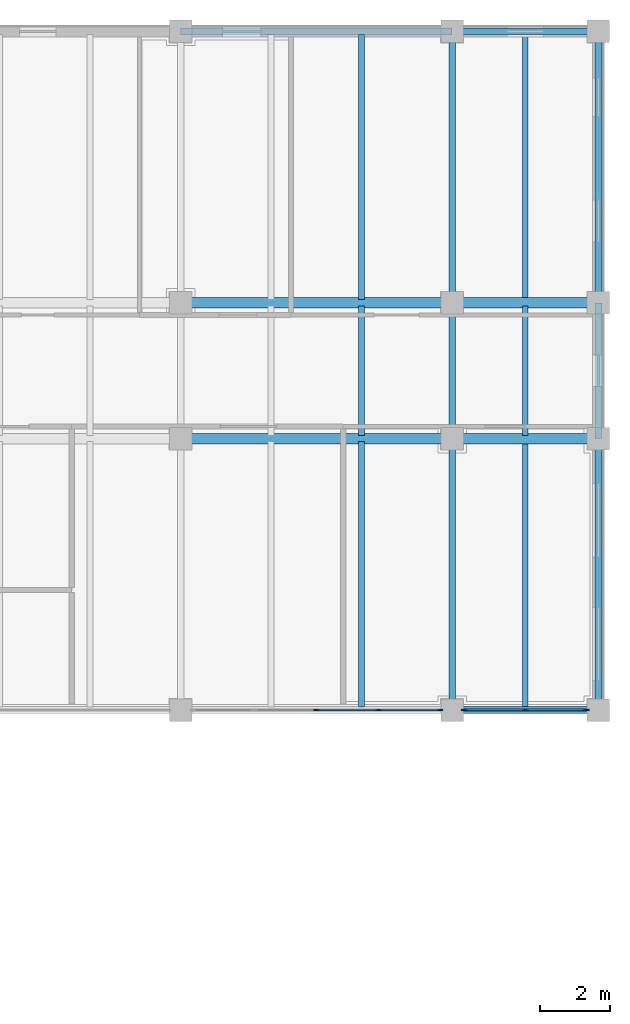
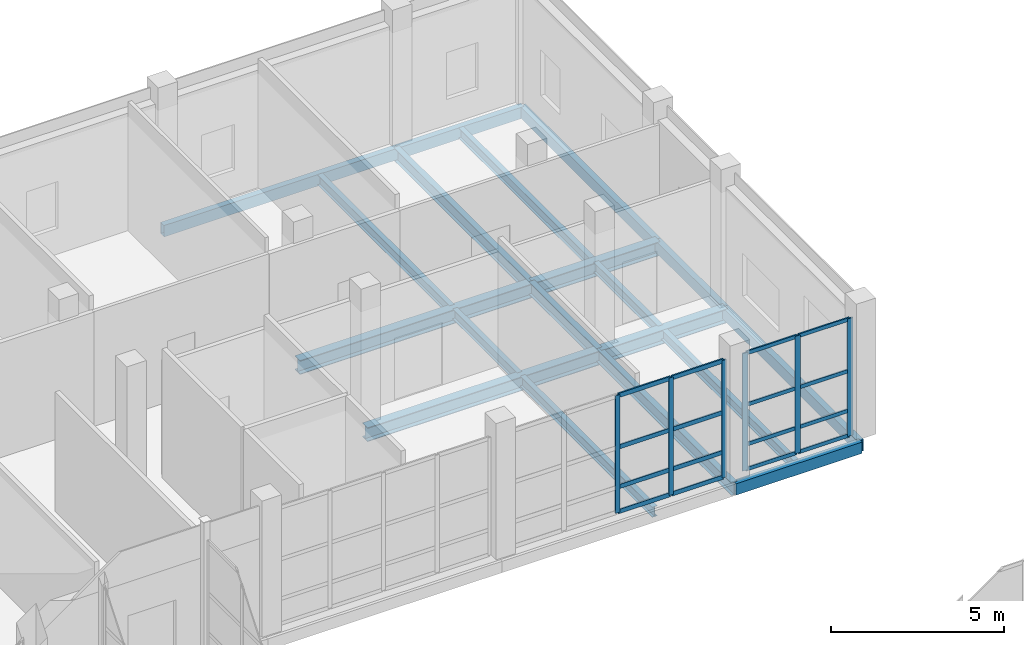
# One storey, part 70 of 131: 22 members, 19 beams, 2 elements without a shape of their own.
"""IFC4 building model written with IfcOpenShell, lengths in metres."""

import ifcopenshell
import ifcopenshell.guid

model = None  # the IFC model being written
_history = None  # IfcOwnerHistory: only IFC2X3 demands one
_inside = {}  # id of a spatial element -> (the spatial element, [elements in it])
_under = {}  # id of a project, library or spatial element -> (it, [spatial elements below it])
_declared = {}  # id of a project -> (the project, [libraries it declares])
_typed = {}  # id of a type object -> (the type object, [elements of that type])
_made_of = {}  # id of a material, layer set ... -> (it, [elements and type objects made of it])


def new_model(schema):
    """Start an empty IFC model of exactly this schema.

    Asked for "IFC4X3", IfcOpenShell would pick the latest addendum, in which some entities
    have other attributes; the version numbers below select the first issue.
    IFC2X3 requires an IfcOwnerHistory on every rooted entity: one is made here for all.
    """
    global model, _history
    if schema == "IFC4X3":
        model = ifcopenshell.file(schema_version=(4, 3, 0, 0))
    else:
        model = ifcopenshell.file(schema=schema)
    _inside.clear()
    _under.clear()
    _declared.clear()
    _typed.clear()
    _made_of.clear()
    _history = None
    if model.schema == "IFC2X3":
        org = make("IfcOrganization", Name="unknown")
        user = make(
            "IfcPersonAndOrganization",
            ThePerson=make("IfcPerson", FamilyName="unknown"),
            TheOrganization=org,
        )
        app = make(
            "IfcApplication",
            ApplicationDeveloper=org,
            Version="unknown",
            ApplicationFullName="unknown",
            ApplicationIdentifier="unknown",
        )
        _history = make(
            "IfcOwnerHistory",
            OwningUser=user,
            OwningApplication=app,
            ChangeAction="ADDED",
            CreationDate=0,
        )
    return model


def make(cls, **values):
    """One entity of the class cls with the attributes given. An attribute that is None is left unset."""
    return model.create_entity(
        cls, **{name: value for name, value in values.items() if value is not None}
    )


def rooted(cls, **values):
    """An entity with a GlobalId (a new one), such as an element, a storey or a relation."""
    return make(cls, GlobalId=ifcopenshell.guid.new(), OwnerHistory=_history, **values)


def si_unit(unit_type, name, prefix=None):
    """IfcSIUnit, for example si_unit("LENGTHUNIT", "METRE", prefix="MILLI")."""
    return make("IfcSIUnit", UnitType=unit_type, Prefix=prefix, Name=name)


def assignment(units):
    """IfcUnitAssignment: the units of a project."""
    return None if units is None else make("IfcUnitAssignment", Units=units)


def point(xyz):
    """IfcCartesianPoint."""
    return None if xyz is None else make("IfcCartesianPoint", Coordinates=xyz)


def direction(xyz):
    """IfcDirection."""
    return None if xyz is None else make("IfcDirection", DirectionRatios=xyz)


def frame(location, z_axis=None, x_axis=None):
    """IfcAxis2Placement3D, a coordinate frame: its origin and axes. An axis left out is left unset."""
    return make(
        "IfcAxis2Placement3D",
        Location=point(location),
        Axis=direction(z_axis),
        RefDirection=direction(x_axis),
    )


def frame_2d(location, x_axis=None):
    """IfcAxis2Placement2D, a coordinate frame in the plane: its origin and x axis."""
    return make(
        "IfcAxis2Placement2D", Location=point(location), RefDirection=direction(x_axis)
    )


def origin():
    """The frame at (0, 0, 0) with its axes left unset."""
    return frame((0.0, 0.0, 0.0))


def origin_2d():
    """The frame at (0, 0) in the plane with its x axis left unset."""
    return frame_2d((0.0, 0.0))


def place(relative_to, where):
    """IfcLocalPlacement: puts the frame where relative to a parent placement (None: the world)."""
    return make(
        "IfcLocalPlacement", PlacementRelTo=relative_to, RelativePlacement=where
    )


def context(
    kind, dimensions, precision=None, world=None, true_north=None, identifier=None
):
    """IfcGeometricRepresentationContext, for example the 3D "Model" context."""
    return make(
        "IfcGeometricRepresentationContext",
        ContextIdentifier=identifier,
        ContextType=kind,
        CoordinateSpaceDimension=dimensions,
        Precision=precision,
        WorldCoordinateSystem=world,
        TrueNorth=true_north,
    )


def subcontext(parent, identifier, kind, view, scale=None):
    """IfcGeometricRepresentationSubContext, for example "Body" below "Model"."""
    return make(
        "IfcGeometricRepresentationSubContext",
        ContextIdentifier=identifier,
        ContextType=kind,
        ParentContext=parent,
        TargetScale=scale,
        TargetView=view,
    )


def project(units=None, contexts=None):
    """IfcProject with its units and contexts."""
    return rooted(
        "IfcProject",
        Name="project",
        RepresentationContexts=contexts,
        UnitsInContext=assignment(units),
    )


def spatial(cls, under=None, at=None, **own):
    """A site, building, storey or space (cls), placed at a placement, below another one or the project."""
    s = rooted(cls, ObjectPlacement=at, **own)
    if under is not None:
        _under.setdefault(under.id(), (under, []))[1].append(s)
    return s


def profile(cls, at=None, kind="AREA", **sizes):
    """A parametric profile (cls). Its sizes go by their IFC names, for example OverallWidth=200.0."""
    return make(cls, ProfileType=kind, Position=at, **sizes)


def rectangle(**sizes):
    """IfcRectangleProfileDef."""
    return profile("IfcRectangleProfileDef", **sizes)


def hollow_rectangle(**sizes):
    """IfcRectangleHollowProfileDef."""
    return profile("IfcRectangleHollowProfileDef", **sizes)


def i_section(**sizes):
    """IfcIShapeProfileDef."""
    return profile("IfcIShapeProfileDef", **sizes)


def extrude(swept, where, along, depth):
    """IfcExtrudedAreaSolid: the profile swept, set in the frame where, extruded along a direction by depth."""
    return make(
        "IfcExtrudedAreaSolid",
        SweptArea=swept,
        Position=where,
        ExtrudedDirection=direction(along),
        Depth=depth,
    )


def shape(context_of_items, identifier, shape_type, items):
    """IfcShapeRepresentation: the items that make up one representation, for example the "Body"."""
    return make(
        "IfcShapeRepresentation",
        ContextOfItems=context_of_items,
        RepresentationIdentifier=identifier,
        RepresentationType=shape_type,
        Items=items,
    )


def material(Name=None, Category=None):
    """IfcMaterial."""
    return make("IfcMaterial", Name=Name, Category=Category)


def layer(
    of_material, thickness, ventilated=None, Name=None, Category=None, Priority=None
):
    """IfcMaterialLayer: one layer of a wall or slab, of a material (None: an air gap)."""
    return make(
        "IfcMaterialLayer",
        Material=of_material,
        LayerThickness=thickness,
        IsVentilated=ventilated,
        Name=Name,
        Category=Category,
        Priority=Priority,
    )


def layer_set(layers, Name=None):
    """IfcMaterialLayerSet."""
    return make("IfcMaterialLayerSet", MaterialLayers=layers, LayerSetName=Name)


def material_profile(
    of_material, cross_section, Name=None, Category=None, Priority=None
):
    """IfcMaterialProfile: a cross section and its material."""
    return make(
        "IfcMaterialProfile",
        Name=Name,
        Material=of_material,
        Profile=cross_section,
        Priority=Priority,
        Category=Category,
    )


def profile_set(profiles, Name=None, composite=None):
    """IfcMaterialProfileSet."""
    return make(
        "IfcMaterialProfileSet",
        Name=Name,
        MaterialProfiles=profiles,
        CompositeProfile=composite,
    )


def made_of(thing, what):
    """Note that an element or type object is made of a material, layer set ...; save() writes the relation."""
    if what is not None:
        _made_of.setdefault(what.id(), (what, []))[1].append(thing)
    return thing


def type_object(cls, material=None, **own):
    """A type object (cls), such as IfcWallType, which elements share."""
    return made_of(rooted(cls, **own), material)


def element(
    cls,
    number,
    at=None,
    inside=None,
    cuts=None,
    type_object=None,
    material=None,
    context=None,
    identifier="Body",
    shape_type=None,
    held_by="IfcProductDefinitionShape",
    body=None,
    shapes=None,
    **own,
):
    """One element of the class cls, such as IfcWall. Its Tag is "e" and its number.

    at: its placement. inside: the storey or other place that contains it. cuts: it is an
    opening in that element (IfcRelVoidsElement). A single representation is given by context,
    identifier, shape_type and body (its items); several are given by shapes. held_by: the class
    of the entity that holds the representations. save() writes the other relations.
    """
    e = rooted(cls, Tag="e%d" % number, ObjectPlacement=at, **own)
    if body is not None:
        shapes = [shape(context, identifier, shape_type, body)]
    if shapes is not None:
        e.Representation = make(held_by, Representations=shapes)
    if inside is not None:
        _inside.setdefault(inside.id(), (inside, []))[1].append(e)
    if cuts is not None:
        rooted(
            "IfcRelVoidsElement", RelatingBuildingElement=cuts, RelatedOpeningElement=e
        )
    if type_object is not None:
        _typed.setdefault(type_object.id(), (type_object, []))[1].append(e)
    return made_of(e, material)


def aggregate(whole, parts):
    """IfcRelAggregates: a whole, such as a stair, and the parts it consists of."""
    return rooted("IfcRelAggregates", RelatingObject=whole, RelatedObjects=parts)


def save(model, path):
    """Write the relations noted so far, then the file.

    IfcRelAggregates (storeys below a building ...), IfcRelContainedInSpatialStructure (elements
    in a storey), IfcRelDefinesByType, IfcRelAssociatesMaterial and IfcRelDeclares: one each for
    every whole, place, type object, material and project.
    """
    for whole, parts in _under.values():
        aggregate(whole, parts)
    for where, things in _inside.values():
        rooted(
            "IfcRelContainedInSpatialStructure",
            RelatedElements=things,
            RelatingStructure=where,
        )
    for kind, things in _typed.values():
        rooted("IfcRelDefinesByType", RelatedObjects=things, RelatingType=kind)
    for what, things in _made_of.values():
        rooted("IfcRelAssociatesMaterial", RelatedObjects=things, RelatingMaterial=what)
    for by, libraries in _declared.values():
        rooted("IfcRelDeclares", RelatingContext=by, RelatedDefinitions=libraries)
    model.write(path)


model = new_model("IFC4")

# Units and contexts
model_context = context("Model", 3, precision=1e-05, world=origin(), true_north=direction((0.0, 1.0)))
body_context = subcontext(model_context, "Body", "Model", "MODEL_VIEW")
ifc_project = project(units=[si_unit("LENGTHUNIT", "METRE"), si_unit("AREAUNIT", "SQUARE_METRE"), si_unit("VOLUMEUNIT", "CUBIC_METRE"), si_unit("PLANEANGLEUNIT", "RADIAN"), si_unit("MASSUNIT", "GRAM", prefix="KILO")], contexts=[model_context])

# Site, building, storey
site_placement = place(None, origin())
site = spatial("IfcSite", under=ifc_project, at=site_placement, CompositionType="ELEMENT")
building_placement = place(site_placement, origin())
building = spatial("IfcBuilding", under=site, at=building_placement, Name="Celorna Specialist Clinic", CompositionType="ELEMENT")
storey_placement = place(building_placement, origin())
storey = spatial("IfcBuildingStorey", under=building, at=storey_placement, Name="L00", CompositionType="ELEMENT", Elevation=0.0)

# Beams
ifc_material_1 = material(Name="Steel S355", Category="steel")
ifc_material_profile_1 = material_profile(ifc_material_1, i_section(OverallWidth=0.18994140625, OverallDepth=0.449951171875, WebThickness=0.009521484375, FlangeThickness=0.0146484375, at=origin_2d()), Name="IPE 450")
ifc_profile_set_1 = profile_set([ifc_material_profile_1], Name="Steel S355")
beam_type_1 = type_object("IfcBeamType", Name="BM-09", PredefinedType="BEAM", material=ifc_profile_set_1)
beam_1_placement = place(storey_placement, frame((163.800048828125, 96.5, -0.52490234375), z_axis=(0.0, 1.0, 0.0), x_axis=(-1.0, 0.0, 0.0)))
element("IfcBeam", 1, at=beam_1_placement, inside=storey, type_object=beam_type_1, Name="Transverse girder BM-09 #775", PredefinedType="BEAM", context=body_context, shape_type="SweptSolid", body=[
    extrude(i_section(OverallWidth=0.18994140625, OverallDepth=0.449951171875, WebThickness=0.009521484375, FlangeThickness=0.0146484375, at=origin_2d()), origin(), (0.0, 0.0, 1.0), 7.800048828125),
])
beam_2_placement = place(storey_placement, frame((163.800048828125, 104.300048828125, -0.52490234375), z_axis=(0.0, 1.0, 0.0), x_axis=(-1.0, 0.0, 0.0)))
element("IfcBeam", 2, at=beam_2_placement, inside=storey, type_object=beam_type_1, Name="Transverse girder BM-09 #776", PredefinedType="BEAM", context=body_context, shape_type="SweptSolid", body=[
    extrude(i_section(OverallWidth=0.18994140625, OverallDepth=0.449951171875, WebThickness=0.009521484375, FlangeThickness=0.0146484375, at=origin_2d()), origin(), (0.0, 0.0, 1.0), 3.89990234375),
])
beam_3_placement = place(storey_placement, frame((163.800048828125, 108.199951171875, -0.52490234375), z_axis=(0.0, 1.0, 0.0), x_axis=(-1.0, 0.0, 0.0)))
element("IfcBeam", 3, at=beam_3_placement, inside=storey, type_object=beam_type_1, Name="Transverse girder BM-09 #777", PredefinedType="BEAM", context=body_context, shape_type="SweptSolid", body=[
    extrude(i_section(OverallWidth=0.18994140625, OverallDepth=0.449951171875, WebThickness=0.009521484375, FlangeThickness=0.0146484375, at=origin_2d()), origin(), (0.0, 0.0, 1.0), 7.800048828125),
])
ifc_material_profile_2 = material_profile(ifc_material_1, i_section(OverallWidth=0.169921875, OverallDepth=0.360107421875, WebThickness=0.008056640625, FlangeThickness=0.0126953125, at=origin_2d()), Name="IPE 360")
ifc_profile_set_2 = profile_set([ifc_material_profile_2], Name="Steel S355")
beam_type_2 = type_object("IfcBeamType", Name="BM-11", PredefinedType="JOIST", material=ifc_profile_set_2)
beam_4_placement = place(storey_placement, frame((161.199951171875, 96.587890625, -0.47998046875), z_axis=(0.0, 1.0, 0.0), x_axis=(-1.0, 0.0, 0.0)))
element("IfcBeam", 4, at=beam_4_placement, inside=storey, type_object=beam_type_2, Name="Secondary floor joist BM-11 #861", PredefinedType="JOIST", context=body_context, shape_type="SweptSolid", body=[
    extrude(i_section(OverallWidth=0.169921875, OverallDepth=0.360107421875, WebThickness=0.008056640625, FlangeThickness=0.0126953125, at=origin_2d()), origin(), (0.0, 0.0, 1.0), 7.6240234375),
])
beam_5_placement = place(storey_placement, frame((161.199951171875, 104.387939453125, -0.47998046875), z_axis=(0.0, 1.0, 0.0), x_axis=(-1.0, 0.0, 0.0)))
element("IfcBeam", 5, at=beam_5_placement, inside=storey, type_object=beam_type_2, Name="Secondary floor joist BM-11 #863", PredefinedType="JOIST", context=body_context, shape_type="SweptSolid", body=[
    extrude(i_section(OverallWidth=0.169921875, OverallDepth=0.360107421875, WebThickness=0.008056640625, FlangeThickness=0.0126953125, at=origin_2d()), origin(), (0.0, 0.0, 1.0), 3.72412109375),
])
for number, where, z_axis, x_axis, name in (
    (6, (161.199951171875, 108.2880859375, -0.47998046875), (0.0, 1.0, 0.0), (-1.0, 0.0, 0.0), "Secondary floor joist BM-11 #865"),
    (7, (165.89990234375, 96.587890625, -0.47998046875), (0.0, 1.0, 0.0), (-1.0, 0.0, 0.0), "Secondary floor joist BM-11 #866"),
):
    element("IfcBeam", number, at=place(storey_placement, frame(where, z_axis=z_axis, x_axis=x_axis)), inside=storey, type_object=beam_type_2, Name=name, PredefinedType="JOIST", context=body_context, shape_type="SweptSolid", body=[
        extrude(i_section(OverallWidth=0.169921875, OverallDepth=0.360107421875, WebThickness=0.008056640625, FlangeThickness=0.0126953125, at=origin_2d()), origin(), (0.0, 0.0, 1.0), 7.6240234375),
    ])
beam_6_placement = place(storey_placement, frame((165.89990234375, 104.387939453125, -0.47998046875), z_axis=(0.0, 1.0, 0.0), x_axis=(-1.0, 0.0, 0.0)))
element("IfcBeam", 8, at=beam_6_placement, inside=storey, type_object=beam_type_2, Name="Secondary floor joist BM-11 #867", PredefinedType="JOIST", context=body_context, shape_type="SweptSolid", body=[
    extrude(i_section(OverallWidth=0.169921875, OverallDepth=0.360107421875, WebThickness=0.008056640625, FlangeThickness=0.0126953125, at=origin_2d()), origin(), (0.0, 0.0, 1.0), 3.72412109375),
])
beam_7_placement = place(storey_placement, frame((165.89990234375, 108.2880859375, -0.47998046875), z_axis=(0.0, 1.0, 0.0), x_axis=(-1.0, 0.0, 0.0)))
element("IfcBeam", 9, at=beam_7_placement, inside=storey, type_object=beam_type_2, Name="Secondary floor joist BM-11 #868", PredefinedType="JOIST", context=body_context, shape_type="SweptSolid", body=[
    extrude(i_section(OverallWidth=0.169921875, OverallDepth=0.360107421875, WebThickness=0.008056640625, FlangeThickness=0.0126953125, at=origin_2d()), origin(), (0.0, 0.0, 1.0), 7.6240234375),
])
ifc_material_profile_3 = material_profile(ifc_material_1, hollow_rectangle(XDim=0.199951171875, YDim=0.39990234375, WallThickness=0.011962890625, at=origin_2d()), Name="RHS 200x400x12")
ifc_profile_set_3 = profile_set([ifc_material_profile_3], Name="Steel S355")
beam_type_3 = type_object("IfcBeamType", Name="BM-15", PredefinedType="SPANDREL", material=ifc_profile_set_3)
beam_8_placement = place(storey_placement, frame((163.800048828125, 96.5, -0.5), z_axis=(1.0, 0.0, 0.0), x_axis=(0.0, 1.0, 0.0)))
element("IfcBeam", 10, at=beam_8_placement, inside=storey, type_object=beam_type_3, Name="Spandrel beam BM-15 #681", PredefinedType="SPANDREL", context=body_context, shape_type="SweptSolid", body=[
    extrude(hollow_rectangle(XDim=0.199951171875, YDim=0.39990234375, WallThickness=0.011962890625, at=origin_2d()), origin(), (0.0, 0.0, 1.0), 4.199951171875),
])
beam_9_placement = place(storey_placement, frame((156.0, 116.0, -0.5), z_axis=(1.0, 0.0, 0.0), x_axis=(0.0, 1.0, 0.0)))
element("IfcBeam", 11, at=beam_9_placement, inside=storey, type_object=beam_type_3, Name="Spandrel beam BM-15 #728", PredefinedType="SPANDREL", context=body_context, shape_type="SweptSolid", body=[
    extrude(hollow_rectangle(XDim=0.199951171875, YDim=0.39990234375, WallThickness=0.011962890625, at=origin_2d()), origin(), (0.0, 0.0, 1.0), 7.800048828125),
])
beam_10_placement = place(storey_placement, frame((163.800048828125, 116.0, -0.5), z_axis=(1.0, 0.0, 0.0), x_axis=(0.0, 1.0, 0.0)))
element("IfcBeam", 12, at=beam_10_placement, inside=storey, type_object=beam_type_3, Name="Spandrel beam BM-15 #729", PredefinedType="SPANDREL", context=body_context, shape_type="SweptSolid", body=[
    extrude(hollow_rectangle(XDim=0.199951171875, YDim=0.39990234375, WallThickness=0.011962890625, at=origin_2d()), origin(), (0.0, 0.0, 1.0), 4.199951171875),
])
beam_11_placement = place(storey_placement, frame((168.0, 96.5, -0.5), z_axis=(0.0, 1.0, 0.0), x_axis=(-1.0, 0.0, 0.0)))
element("IfcBeam", 13, at=beam_11_placement, inside=storey, type_object=beam_type_3, Name="Spandrel beam BM-15 #778", PredefinedType="SPANDREL", context=body_context, shape_type="SweptSolid", body=[
    extrude(hollow_rectangle(XDim=0.199951171875, YDim=0.39990234375, WallThickness=0.011962890625, at=origin_2d()), origin(), (0.0, 0.0, 1.0), 7.800048828125),
])
beam_12_placement = place(storey_placement, frame((168.0, 104.300048828125, -0.5), z_axis=(0.0, 1.0, 0.0), x_axis=(-1.0, 0.0, 0.0)))
element("IfcBeam", 14, at=beam_12_placement, inside=storey, type_object=beam_type_3, Name="Spandrel beam BM-15 #779", PredefinedType="SPANDREL", context=body_context, shape_type="SweptSolid", body=[
    extrude(hollow_rectangle(XDim=0.199951171875, YDim=0.39990234375, WallThickness=0.011962890625, at=origin_2d()), origin(), (0.0, 0.0, 1.0), 3.89990234375),
])
beam_13_placement = place(storey_placement, frame((168.0, 108.199951171875, -0.5), z_axis=(0.0, 1.0, 0.0), x_axis=(-1.0, 0.0, 0.0)))
element("IfcBeam", 15, at=beam_13_placement, inside=storey, type_object=beam_type_3, Name="Spandrel beam BM-15 #780", PredefinedType="SPANDREL", context=body_context, shape_type="SweptSolid", body=[
    extrude(hollow_rectangle(XDim=0.199951171875, YDim=0.39990234375, WallThickness=0.011962890625, at=origin_2d()), origin(), (0.0, 0.0, 1.0), 7.800048828125),
])
ifc_material_profile_4 = material_profile(ifc_material_1, i_section(OverallWidth=0.300048828125, OverallDepth=0.489990234375, WebThickness=0.011962890625, FlangeThickness=0.02294921875, at=origin_2d()), Name="HE 500 A")
ifc_profile_set_4 = profile_set([ifc_material_profile_4], Name="Steel S355")
beam_type_4 = type_object("IfcBeamType", Name="BM-22", PredefinedType="BEAM", material=ifc_profile_set_4)
beam_14_placement = place(storey_placement, frame((156.0, 104.300048828125, -0.544921875), z_axis=(1.0, 0.0, 0.0), x_axis=(0.0, 1.0, 0.0)))
element("IfcBeam", 16, at=beam_14_placement, inside=storey, type_object=beam_type_4, Name="Primary girder BM-22 #696", PredefinedType="BEAM", context=body_context, shape_type="SweptSolid", body=[
    extrude(i_section(OverallWidth=0.300048828125, OverallDepth=0.489990234375, WebThickness=0.011962890625, FlangeThickness=0.02294921875, at=origin_2d()), origin(), (0.0, 0.0, 1.0), 7.800048828125),
])
beam_15_placement = place(storey_placement, frame((163.800048828125, 104.300048828125, -0.544921875), z_axis=(1.0, 0.0, 0.0), x_axis=(0.0, 1.0, 0.0)))
element("IfcBeam", 17, at=beam_15_placement, inside=storey, type_object=beam_type_4, Name="Primary girder BM-22 #697", PredefinedType="BEAM", context=body_context, shape_type="SweptSolid", body=[
    extrude(i_section(OverallWidth=0.300048828125, OverallDepth=0.489990234375, WebThickness=0.011962890625, FlangeThickness=0.02294921875, at=origin_2d()), origin(), (0.0, 0.0, 1.0), 4.199951171875),
])
beam_16_placement = place(storey_placement, frame((156.0, 108.199951171875, -0.544921875), z_axis=(1.0, 0.0, 0.0), x_axis=(0.0, 1.0, 0.0)))
element("IfcBeam", 18, at=beam_16_placement, inside=storey, type_object=beam_type_4, Name="Primary girder BM-22 #712", PredefinedType="BEAM", context=body_context, shape_type="SweptSolid", body=[
    extrude(i_section(OverallWidth=0.300048828125, OverallDepth=0.489990234375, WebThickness=0.011962890625, FlangeThickness=0.02294921875, at=origin_2d()), origin(), (0.0, 0.0, 1.0), 7.800048828125),
])
beam_17_placement = place(storey_placement, frame((163.800048828125, 108.199951171875, -0.544921875), z_axis=(1.0, 0.0, 0.0), x_axis=(0.0, 1.0, 0.0)))
element("IfcBeam", 19, at=beam_17_placement, inside=storey, type_object=beam_type_4, Name="Primary girder BM-22 #713", PredefinedType="BEAM", context=body_context, shape_type="SweptSolid", body=[
    extrude(i_section(OverallWidth=0.300048828125, OverallDepth=0.489990234375, WebThickness=0.011962890625, FlangeThickness=0.02294921875, at=origin_2d()), origin(), (0.0, 0.0, 1.0), 4.199951171875),
])

# Curtain wall, members
ifc_material_2 = material(Name="Thermally broken aluminium and solar-control glass curtain wall", Category="aluminium")
ifc_layer_1 = layer(ifc_material_2, 0.159912109375, Name="Thermally broken aluminium and solar-control glass curtain wall")
ifc_layer_set_1 = layer_set([ifc_layer_1], Name="Thermally broken aluminium and solar-control glass curtain wall")
curtain_wall_type_1 = type_object("IfcCurtainWallType", Name="CW-48", PredefinedType="NOTDEFINED", material=ifc_layer_set_1)
curtain_wall_1_placement = place(storey_placement, origin())
curtain_wall_1 = element("IfcCurtainWall", 20, at=curtain_wall_1_placement, inside=storey, type_object=curtain_wall_type_1, Name="Curtain wall CW-48 #102", PredefinedType="NOTDEFINED")
ifc_material_3 = material(Name="Anodized aluminium mullion", Category="aluminium")
ifc_material_profile_5 = material_profile(ifc_material_3, rectangle(XDim=0.050048828125, YDim=0.159912109375, at=origin_2d()), Name="ALU MULLION 50x160")
ifc_profile_set_5 = profile_set([ifc_material_profile_5], Name="Anodized aluminium mullion")
member_type_1 = type_object("IfcMemberType", Name="ML-01", PredefinedType="MULLION", material=ifc_profile_set_5)
member_1_placement = place(storey_placement, frame((163.446044921875, 96.5, 0.0), z_axis=(0.0, 0.0, 1.0), x_axis=(0.0, -1.0, 0.0)))
member_1 = element("IfcMember", 21, at=member_1_placement, type_object=member_type_1, Name="CW-48 mullion 1", PredefinedType="MULLION", context=body_context, shape_type="SweptSolid", body=[
    extrude(rectangle(XDim=0.050048828125, YDim=0.159912109375, at=origin_2d()), origin(), (0.0, 0.0, 1.0), 4.139892578125),
])
member_2_placement = place(storey_placement, frame((161.685546875, 96.5, 0.0), z_axis=(0.0, 0.0, 1.0), x_axis=(0.0, -1.0, 0.0)))
member_2 = element("IfcMember", 22, at=member_2_placement, type_object=member_type_1, Name="CW-48 mullion 2", PredefinedType="MULLION", context=body_context, shape_type="SweptSolid", body=[
    extrude(rectangle(XDim=0.050048828125, YDim=0.159912109375, at=origin_2d()), origin(), (0.0, 0.0, 1.0), 4.139892578125),
])
member_3_placement = place(storey_placement, frame((159.89990234375, 96.5, 0.0), z_axis=(0.0, 0.0, 1.0), x_axis=(0.0, -1.0, 0.0)))
member_3 = element("IfcMember", 23, at=member_3_placement, type_object=member_type_1, Name="CW-48 mullion 3", PredefinedType="MULLION", context=body_context, shape_type="SweptSolid", body=[
    extrude(rectangle(XDim=0.050048828125, YDim=0.159912109375, at=origin_2d()), origin(), (0.0, 0.0, 1.0), 4.139892578125),
])

ifc_layer_2 = layer(ifc_material_2, 0.159912109375, Name="Thermally broken aluminium and solar-control glass curtain wall")
ifc_layer_set_2 = layer_set([ifc_layer_2], Name="Thermally broken aluminium and solar-control glass curtain wall")
curtain_wall_type_2 = type_object("IfcCurtainWallType", Name="CW-50", PredefinedType="NOTDEFINED", material=ifc_layer_set_2)
curtain_wall_2_placement = place(storey_placement, origin())
curtain_wall_2 = element("IfcCurtainWall", 24, at=curtain_wall_2_placement, inside=storey, type_object=curtain_wall_type_2, Name="Curtain wall CW-50 #103", PredefinedType="NOTDEFINED")
ifc_material_profile_6 = material_profile(ifc_material_3, rectangle(XDim=0.050048828125, YDim=0.179931640625, at=origin_2d()), Name="ALU MULLION 50x180")
ifc_profile_set_6 = profile_set([ifc_material_profile_6], Name="Anodized aluminium mullion")
member_type_2 = type_object("IfcMemberType", Name="ML-02", PredefinedType="MULLION", material=ifc_profile_set_6)
member_4_placement = place(storey_placement, frame((167.64599609375, 96.5, 0.0), z_axis=(0.0, 0.0, 1.0), x_axis=(0.0, -1.0, 0.0)))
member_4 = element("IfcMember", 25, at=member_4_placement, type_object=member_type_2, Name="CW-50 mullion 1", PredefinedType="MULLION", context=body_context, shape_type="SweptSolid", body=[
    extrude(rectangle(XDim=0.050048828125, YDim=0.179931640625, at=origin_2d()), origin(), (0.0, 0.0, 1.0), 4.139892578125),
])
member_5_placement = place(storey_placement, frame((165.89990234375, 96.5, 0.0), z_axis=(0.0, 0.0, 1.0), x_axis=(0.0, -1.0, 0.0)))
member_5 = element("IfcMember", 26, at=member_5_placement, type_object=member_type_2, Name="CW-50 mullion 2", PredefinedType="MULLION", context=body_context, shape_type="SweptSolid", body=[
    extrude(rectangle(XDim=0.050048828125, YDim=0.179931640625, at=origin_2d()), origin(), (0.0, 0.0, 1.0), 4.139892578125),
])
member_6_placement = place(storey_placement, frame((164.154052734375, 96.5, 0.0), z_axis=(0.0, 0.0, 1.0), x_axis=(0.0, -1.0, 0.0)))
member_6 = element("IfcMember", 27, at=member_6_placement, type_object=member_type_2, Name="CW-50 mullion 3", PredefinedType="MULLION", context=body_context, shape_type="SweptSolid", body=[
    extrude(rectangle(XDim=0.050048828125, YDim=0.179931640625, at=origin_2d()), origin(), (0.0, 0.0, 1.0), 4.139892578125),
])
ifc_material_4 = material(Name="Anodized aluminium transom", Category="aluminium")
ifc_material_profile_7 = material_profile(ifc_material_4, rectangle(XDim=0.050048828125, YDim=0.1298828125, at=origin_2d()), Name="ALU TRANSOM 50x130")
ifc_profile_set_7 = profile_set([ifc_material_profile_7], Name="Anodized aluminium transom")
member_type_3 = type_object("IfcMemberType", Name="TR-01", PredefinedType="USERDEFINED", material=ifc_profile_set_7)
member_7_placement = place(storey_placement, frame((167.62109375, 96.5, 0.02490234375), z_axis=(-1.0, 0.0, 0.0), x_axis=(0.0, -1.0, 0.0)))
member_7 = element("IfcMember", 28, at=member_7_placement, type_object=member_type_3, Name="CW-50 transom 1.1", ObjectType="TRANSOM", PredefinedType="USERDEFINED", context=body_context, shape_type="SweptSolid", body=[
    extrude(rectangle(XDim=0.050048828125, YDim=0.1298828125, at=origin_2d()), origin(), (0.0, 0.0, 1.0), 1.696044921875),
])
member_8_placement = place(storey_placement, frame((167.62109375, 96.5, 0.89990234375), z_axis=(-1.0, 0.0, 0.0), x_axis=(0.0, -1.0, 0.0)))
member_8 = element("IfcMember", 29, at=member_8_placement, type_object=member_type_3, Name="CW-50 transom 1.2", ObjectType="TRANSOM", PredefinedType="USERDEFINED", context=body_context, shape_type="SweptSolid", body=[
    extrude(rectangle(XDim=0.050048828125, YDim=0.1298828125, at=origin_2d()), origin(), (0.0, 0.0, 1.0), 1.696044921875),
])
member_9_placement = place(storey_placement, frame((167.62109375, 96.5, 2.300048828125), z_axis=(-1.0, 0.0, 0.0), x_axis=(0.0, -1.0, 0.0)))
member_9 = element("IfcMember", 30, at=member_9_placement, type_object=member_type_3, Name="CW-50 transom 1.3", ObjectType="TRANSOM", PredefinedType="USERDEFINED", context=body_context, shape_type="SweptSolid", body=[
    extrude(rectangle(XDim=0.050048828125, YDim=0.1298828125, at=origin_2d()), origin(), (0.0, 0.0, 1.0), 1.696044921875),
])
member_10_placement = place(storey_placement, frame((167.62109375, 96.5, 4.114990234375), z_axis=(-1.0, 0.0, 0.0), x_axis=(0.0, -1.0, 0.0)))
member_10 = element("IfcMember", 31, at=member_10_placement, type_object=member_type_3, Name="CW-50 transom 1.4", ObjectType="TRANSOM", PredefinedType="USERDEFINED", context=body_context, shape_type="SweptSolid", body=[
    extrude(rectangle(XDim=0.050048828125, YDim=0.1298828125, at=origin_2d()), origin(), (0.0, 0.0, 1.0), 1.696044921875),
])
member_11_placement = place(storey_placement, frame((165.875, 96.5, 0.02490234375), z_axis=(-1.0, 0.0, 0.0), x_axis=(0.0, -1.0, 0.0)))
member_11 = element("IfcMember", 32, at=member_11_placement, type_object=member_type_3, Name="CW-50 transom 2.1", ObjectType="TRANSOM", PredefinedType="USERDEFINED", context=body_context, shape_type="SweptSolid", body=[
    extrude(rectangle(XDim=0.050048828125, YDim=0.1298828125, at=origin_2d()), origin(), (0.0, 0.0, 1.0), 1.696044921875),
])
member_12_placement = place(storey_placement, frame((165.875, 96.5, 0.89990234375), z_axis=(-1.0, 0.0, 0.0), x_axis=(0.0, -1.0, 0.0)))
member_12 = element("IfcMember", 33, at=member_12_placement, type_object=member_type_3, Name="CW-50 transom 2.2", ObjectType="TRANSOM", PredefinedType="USERDEFINED", context=body_context, shape_type="SweptSolid", body=[
    extrude(rectangle(XDim=0.050048828125, YDim=0.1298828125, at=origin_2d()), origin(), (0.0, 0.0, 1.0), 1.696044921875),
])
member_13_placement = place(storey_placement, frame((165.875, 96.5, 2.300048828125), z_axis=(-1.0, 0.0, 0.0), x_axis=(0.0, -1.0, 0.0)))
member_13 = element("IfcMember", 34, at=member_13_placement, type_object=member_type_3, Name="CW-50 transom 2.3", ObjectType="TRANSOM", PredefinedType="USERDEFINED", context=body_context, shape_type="SweptSolid", body=[
    extrude(rectangle(XDim=0.050048828125, YDim=0.1298828125, at=origin_2d()), origin(), (0.0, 0.0, 1.0), 1.696044921875),
])
member_14_placement = place(storey_placement, frame((165.875, 96.5, 4.114990234375), z_axis=(-1.0, 0.0, 0.0), x_axis=(0.0, -1.0, 0.0)))
member_14 = element("IfcMember", 35, at=member_14_placement, type_object=member_type_3, Name="CW-50 transom 2.4", ObjectType="TRANSOM", PredefinedType="USERDEFINED", context=body_context, shape_type="SweptSolid", body=[
    extrude(rectangle(XDim=0.050048828125, YDim=0.1298828125, at=origin_2d()), origin(), (0.0, 0.0, 1.0), 1.696044921875),
])
aggregate(curtain_wall_2, [member_4, member_5, member_6, member_7, member_8, member_9, member_10, member_11, member_12, member_13, member_14])

# Member
ifc_material_profile_8 = material_profile(ifc_material_4, rectangle(XDim=0.050048828125, YDim=0.14990234375, at=origin_2d()), Name="ALU TRANSOM 50x150")
ifc_profile_set_8 = profile_set([ifc_material_profile_8], Name="Anodized aluminium transom")
member_type_4 = type_object("IfcMemberType", Name="TR-02", PredefinedType="USERDEFINED", material=ifc_profile_set_8)
member_15_placement = place(storey_placement, frame((163.4208984375, 96.5, 0.02490234375), z_axis=(-1.0, 0.0, 0.0), x_axis=(0.0, -1.0, 0.0)))
member_15 = element("IfcMember", 36, at=member_15_placement, type_object=member_type_4, Name="CW-48 transom 1.1", ObjectType="TRANSOM", PredefinedType="USERDEFINED", context=body_context, shape_type="SweptSolid", body=[
    extrude(rectangle(XDim=0.050048828125, YDim=0.14990234375, at=origin_2d()), origin(), (0.0, 0.0, 1.0), 1.71044921875),
])

member_16_placement = place(storey_placement, frame((163.4208984375, 96.5, 0.89990234375), z_axis=(-1.0, 0.0, 0.0), x_axis=(0.0, -1.0, 0.0)))
member_16 = element("IfcMember", 37, at=member_16_placement, type_object=member_type_4, Name="CW-48 transom 1.2", ObjectType="TRANSOM", PredefinedType="USERDEFINED", context=body_context, shape_type="SweptSolid", body=[
    extrude(rectangle(XDim=0.050048828125, YDim=0.14990234375, at=origin_2d()), origin(), (0.0, 0.0, 1.0), 1.71044921875),
])

member_17_placement = place(storey_placement, frame((163.4208984375, 96.5, 2.300048828125), z_axis=(-1.0, 0.0, 0.0), x_axis=(0.0, -1.0, 0.0)))
member_17 = element("IfcMember", 38, at=member_17_placement, type_object=member_type_4, Name="CW-48 transom 1.3", ObjectType="TRANSOM", PredefinedType="USERDEFINED", context=body_context, shape_type="SweptSolid", body=[
    extrude(rectangle(XDim=0.050048828125, YDim=0.14990234375, at=origin_2d()), origin(), (0.0, 0.0, 1.0), 1.71044921875),
])

member_18_placement = place(storey_placement, frame((163.4208984375, 96.5, 4.114990234375), z_axis=(-1.0, 0.0, 0.0), x_axis=(0.0, -1.0, 0.0)))
member_18 = element("IfcMember", 39, at=member_18_placement, type_object=member_type_4, Name="CW-48 transom 1.4", ObjectType="TRANSOM", PredefinedType="USERDEFINED", context=body_context, shape_type="SweptSolid", body=[
    extrude(rectangle(XDim=0.050048828125, YDim=0.14990234375, at=origin_2d()), origin(), (0.0, 0.0, 1.0), 1.71044921875),
])

member_19_placement = place(storey_placement, frame((161.660400390625, 96.5, 0.02490234375), z_axis=(-1.0, 0.0, 0.0), x_axis=(0.0, -1.0, 0.0)))
member_19 = element("IfcMember", 40, at=member_19_placement, type_object=member_type_4, Name="CW-48 transom 2.1", ObjectType="TRANSOM", PredefinedType="USERDEFINED", context=body_context, shape_type="SweptSolid", body=[
    extrude(rectangle(XDim=0.050048828125, YDim=0.14990234375, at=origin_2d()), origin(), (0.0, 0.0, 1.0), 1.7353515625),
])

member_20_placement = place(storey_placement, frame((161.660400390625, 96.5, 0.89990234375), z_axis=(-1.0, 0.0, 0.0), x_axis=(0.0, -1.0, 0.0)))
member_20 = element("IfcMember", 41, at=member_20_placement, type_object=member_type_4, Name="CW-48 transom 2.2", ObjectType="TRANSOM", PredefinedType="USERDEFINED", context=body_context, shape_type="SweptSolid", body=[
    extrude(rectangle(XDim=0.050048828125, YDim=0.14990234375, at=origin_2d()), origin(), (0.0, 0.0, 1.0), 1.7353515625),
])

member_21_placement = place(storey_placement, frame((161.660400390625, 96.5, 2.300048828125), z_axis=(-1.0, 0.0, 0.0), x_axis=(0.0, -1.0, 0.0)))
member_21 = element("IfcMember", 42, at=member_21_placement, type_object=member_type_4, Name="CW-48 transom 2.3", ObjectType="TRANSOM", PredefinedType="USERDEFINED", context=body_context, shape_type="SweptSolid", body=[
    extrude(rectangle(XDim=0.050048828125, YDim=0.14990234375, at=origin_2d()), origin(), (0.0, 0.0, 1.0), 1.7353515625),
])

member_22_placement = place(storey_placement, frame((161.660400390625, 96.5, 4.114990234375), z_axis=(-1.0, 0.0, 0.0), x_axis=(0.0, -1.0, 0.0)))
member_22 = element("IfcMember", 43, at=member_22_placement, type_object=member_type_4, Name="CW-48 transom 2.4", ObjectType="TRANSOM", PredefinedType="USERDEFINED", context=body_context, shape_type="SweptSolid", body=[
    extrude(rectangle(XDim=0.050048828125, YDim=0.14990234375, at=origin_2d()), origin(), (0.0, 0.0, 1.0), 1.7353515625),
])

aggregate(curtain_wall_1, [member_1, member_2, member_3, member_15, member_16, member_17, member_18, member_19, member_20, member_21, member_22])

save(model, "model.ifc")
